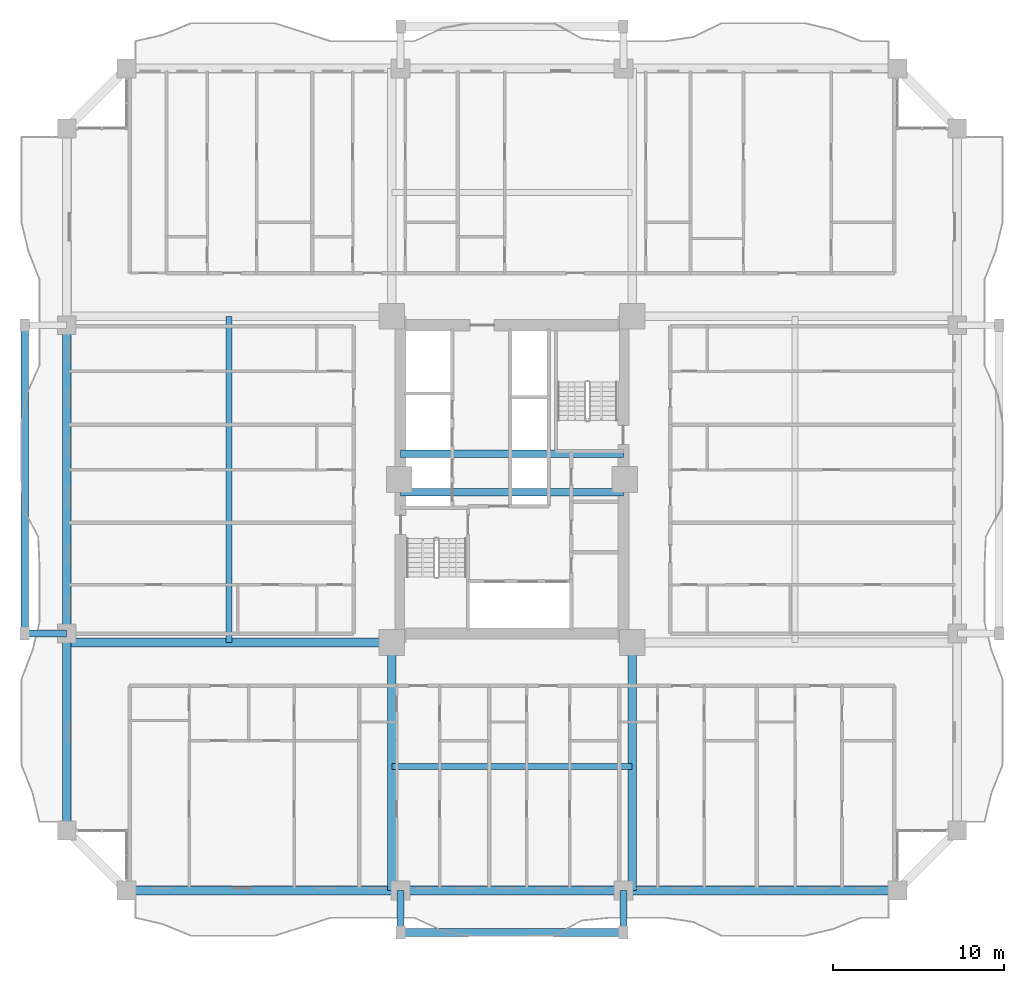
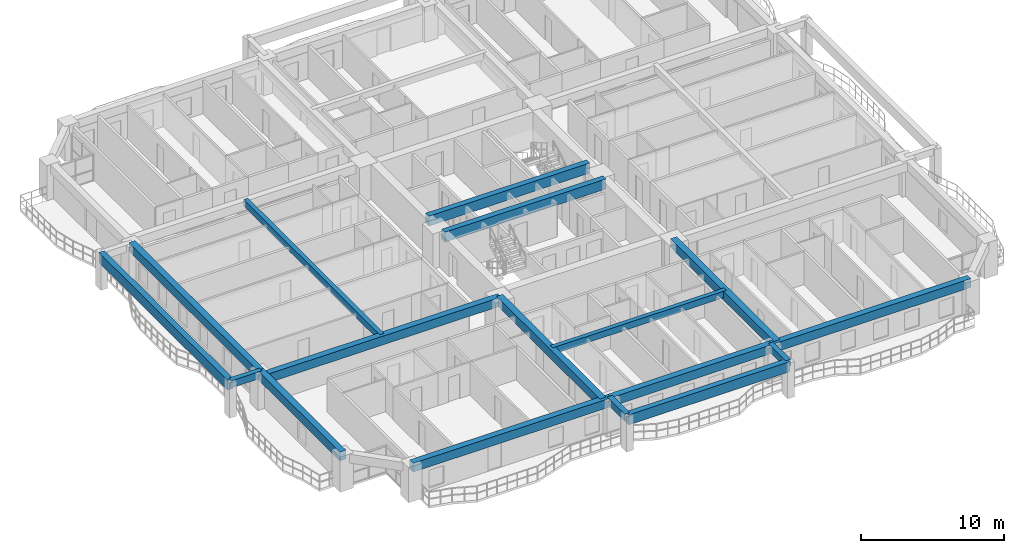
# One storey, part 3 of 28: 17 beams.
"""IFC4 building model written with IfcOpenShell, lengths in metres."""

import ifcopenshell
import ifcopenshell.guid

model = None  # the IFC model being written
_history = None  # IfcOwnerHistory: only IFC2X3 demands one
_inside = {}  # id of a spatial element -> (the spatial element, [elements in it])
_under = {}  # id of a project, library or spatial element -> (it, [spatial elements below it])
_declared = {}  # id of a project -> (the project, [libraries it declares])
_typed = {}  # id of a type object -> (the type object, [elements of that type])
_made_of = {}  # id of a material, layer set ... -> (it, [elements and type objects made of it])


def new_model(schema):
    """Start an empty IFC model of exactly this schema.

    Asked for "IFC4X3", IfcOpenShell would pick the latest addendum, in which some entities
    have other attributes; the version numbers below select the first issue.
    IFC2X3 requires an IfcOwnerHistory on every rooted entity: one is made here for all.
    """
    global model, _history
    if schema == "IFC4X3":
        model = ifcopenshell.file(schema_version=(4, 3, 0, 0))
    else:
        model = ifcopenshell.file(schema=schema)
    _inside.clear()
    _under.clear()
    _declared.clear()
    _typed.clear()
    _made_of.clear()
    _history = None
    if model.schema == "IFC2X3":
        org = make("IfcOrganization", Name="unknown")
        user = make(
            "IfcPersonAndOrganization",
            ThePerson=make("IfcPerson", FamilyName="unknown"),
            TheOrganization=org,
        )
        app = make(
            "IfcApplication",
            ApplicationDeveloper=org,
            Version="unknown",
            ApplicationFullName="unknown",
            ApplicationIdentifier="unknown",
        )
        _history = make(
            "IfcOwnerHistory",
            OwningUser=user,
            OwningApplication=app,
            ChangeAction="ADDED",
            CreationDate=0,
        )
    return model


def make(cls, **values):
    """One entity of the class cls with the attributes given. An attribute that is None is left unset."""
    return model.create_entity(
        cls, **{name: value for name, value in values.items() if value is not None}
    )


def rooted(cls, **values):
    """An entity with a GlobalId (a new one), such as an element, a storey or a relation."""
    return make(cls, GlobalId=ifcopenshell.guid.new(), OwnerHistory=_history, **values)


def si_unit(unit_type, name, prefix=None):
    """IfcSIUnit, for example si_unit("LENGTHUNIT", "METRE", prefix="MILLI")."""
    return make("IfcSIUnit", UnitType=unit_type, Prefix=prefix, Name=name)


def assignment(units):
    """IfcUnitAssignment: the units of a project."""
    return None if units is None else make("IfcUnitAssignment", Units=units)


def point(xyz):
    """IfcCartesianPoint."""
    return None if xyz is None else make("IfcCartesianPoint", Coordinates=xyz)


def direction(xyz):
    """IfcDirection."""
    return None if xyz is None else make("IfcDirection", DirectionRatios=xyz)


def frame(location, z_axis=None, x_axis=None):
    """IfcAxis2Placement3D, a coordinate frame: its origin and axes. An axis left out is left unset."""
    return make(
        "IfcAxis2Placement3D",
        Location=point(location),
        Axis=direction(z_axis),
        RefDirection=direction(x_axis),
    )


def frame_2d(location, x_axis=None):
    """IfcAxis2Placement2D, a coordinate frame in the plane: its origin and x axis."""
    return make(
        "IfcAxis2Placement2D", Location=point(location), RefDirection=direction(x_axis)
    )


def origin():
    """The frame at (0, 0, 0) with its axes left unset."""
    return frame((0.0, 0.0, 0.0))


def origin_2d():
    """The frame at (0, 0) in the plane with its x axis left unset."""
    return frame_2d((0.0, 0.0))


def place(relative_to, where):
    """IfcLocalPlacement: puts the frame where relative to a parent placement (None: the world)."""
    return make(
        "IfcLocalPlacement", PlacementRelTo=relative_to, RelativePlacement=where
    )


def context(
    kind, dimensions, precision=None, world=None, true_north=None, identifier=None
):
    """IfcGeometricRepresentationContext, for example the 3D "Model" context."""
    return make(
        "IfcGeometricRepresentationContext",
        ContextIdentifier=identifier,
        ContextType=kind,
        CoordinateSpaceDimension=dimensions,
        Precision=precision,
        WorldCoordinateSystem=world,
        TrueNorth=true_north,
    )


def subcontext(parent, identifier, kind, view, scale=None):
    """IfcGeometricRepresentationSubContext, for example "Body" below "Model"."""
    return make(
        "IfcGeometricRepresentationSubContext",
        ContextIdentifier=identifier,
        ContextType=kind,
        ParentContext=parent,
        TargetScale=scale,
        TargetView=view,
    )


def project(units=None, contexts=None):
    """IfcProject with its units and contexts."""
    return rooted(
        "IfcProject",
        Name="project",
        RepresentationContexts=contexts,
        UnitsInContext=assignment(units),
    )


def spatial(cls, under=None, at=None, **own):
    """A site, building, storey or space (cls), placed at a placement, below another one or the project."""
    s = rooted(cls, ObjectPlacement=at, **own)
    if under is not None:
        _under.setdefault(under.id(), (under, []))[1].append(s)
    return s


def profile(cls, at=None, kind="AREA", **sizes):
    """A parametric profile (cls). Its sizes go by their IFC names, for example OverallWidth=200.0."""
    return make(cls, ProfileType=kind, Position=at, **sizes)


def rectangle(**sizes):
    """IfcRectangleProfileDef."""
    return profile("IfcRectangleProfileDef", **sizes)


def extrude(swept, where, along, depth):
    """IfcExtrudedAreaSolid: the profile swept, set in the frame where, extruded along a direction by depth."""
    return make(
        "IfcExtrudedAreaSolid",
        SweptArea=swept,
        Position=where,
        ExtrudedDirection=direction(along),
        Depth=depth,
    )


def shape(context_of_items, identifier, shape_type, items):
    """IfcShapeRepresentation: the items that make up one representation, for example the "Body"."""
    return make(
        "IfcShapeRepresentation",
        ContextOfItems=context_of_items,
        RepresentationIdentifier=identifier,
        RepresentationType=shape_type,
        Items=items,
    )


def source(mapping_origin, context_of_items, identifier, shape_type, items):
    """IfcRepresentationMap: a shape defined once, which mapped items show again and again."""
    return make(
        "IfcRepresentationMap",
        MappingOrigin=mapping_origin,
        MappedRepresentation=shape(context_of_items, identifier, shape_type, items),
    )


def transform(
    local_origin,
    x_axis=None,
    y_axis=None,
    z_axis=None,
    scale=None,
    scale2=None,
    scale3=None,
    uniform=True,
):
    """IfcCartesianTransformationOperator3D, or its non-uniform kind. x_axis, y_axis, z_axis: its Axis1, 2, 3."""
    if uniform:
        return make(
            "IfcCartesianTransformationOperator3D",
            Axis1=direction(x_axis),
            Axis2=direction(y_axis),
            LocalOrigin=point(local_origin),
            Scale=scale,
            Axis3=direction(z_axis),
        )
    return make(
        "IfcCartesianTransformationOperator3DnonUniform",
        Axis1=direction(x_axis),
        Axis2=direction(y_axis),
        LocalOrigin=point(local_origin),
        Scale=scale,
        Axis3=direction(z_axis),
        Scale2=scale2,
        Scale3=scale3,
    )


def mapped(mapping_source, mapping_target):
    """IfcMappedItem: shows the shape of a source again, moved by a transform."""
    return make(
        "IfcMappedItem", MappingSource=mapping_source, MappingTarget=mapping_target
    )


def material(Name=None, Category=None):
    """IfcMaterial."""
    return make("IfcMaterial", Name=Name, Category=Category)


def material_profile(
    of_material, cross_section, Name=None, Category=None, Priority=None
):
    """IfcMaterialProfile: a cross section and its material."""
    return make(
        "IfcMaterialProfile",
        Name=Name,
        Material=of_material,
        Profile=cross_section,
        Priority=Priority,
        Category=Category,
    )


def profile_set(profiles, Name=None, composite=None):
    """IfcMaterialProfileSet."""
    return make(
        "IfcMaterialProfileSet",
        Name=Name,
        MaterialProfiles=profiles,
        CompositeProfile=composite,
    )


def made_of(thing, what):
    """Note that an element or type object is made of a material, layer set ...; save() writes the relation."""
    if what is not None:
        _made_of.setdefault(what.id(), (what, []))[1].append(thing)
    return thing


def type_object(cls, material=None, **own):
    """A type object (cls), such as IfcWallType, which elements share."""
    return made_of(rooted(cls, **own), material)


def element(
    cls,
    number,
    at=None,
    inside=None,
    cuts=None,
    type_object=None,
    material=None,
    context=None,
    identifier="Body",
    shape_type=None,
    held_by="IfcProductDefinitionShape",
    body=None,
    shapes=None,
    **own,
):
    """One element of the class cls, such as IfcWall. Its Tag is "e" and its number.

    at: its placement. inside: the storey or other place that contains it. cuts: it is an
    opening in that element (IfcRelVoidsElement). A single representation is given by context,
    identifier, shape_type and body (its items); several are given by shapes. held_by: the class
    of the entity that holds the representations. save() writes the other relations.
    """
    e = rooted(cls, Tag="e%d" % number, ObjectPlacement=at, **own)
    if body is not None:
        shapes = [shape(context, identifier, shape_type, body)]
    if shapes is not None:
        e.Representation = make(held_by, Representations=shapes)
    if inside is not None:
        _inside.setdefault(inside.id(), (inside, []))[1].append(e)
    if cuts is not None:
        rooted(
            "IfcRelVoidsElement", RelatingBuildingElement=cuts, RelatedOpeningElement=e
        )
    if type_object is not None:
        _typed.setdefault(type_object.id(), (type_object, []))[1].append(e)
    return made_of(e, material)


def aggregate(whole, parts):
    """IfcRelAggregates: a whole, such as a stair, and the parts it consists of."""
    return rooted("IfcRelAggregates", RelatingObject=whole, RelatedObjects=parts)


def save(model, path):
    """Write the relations noted so far, then the file.

    IfcRelAggregates (storeys below a building ...), IfcRelContainedInSpatialStructure (elements
    in a storey), IfcRelDefinesByType, IfcRelAssociatesMaterial and IfcRelDeclares: one each for
    every whole, place, type object, material and project.
    """
    for whole, parts in _under.values():
        aggregate(whole, parts)
    for where, things in _inside.values():
        rooted(
            "IfcRelContainedInSpatialStructure",
            RelatedElements=things,
            RelatingStructure=where,
        )
    for kind, things in _typed.values():
        rooted("IfcRelDefinesByType", RelatedObjects=things, RelatingType=kind)
    for what, things in _made_of.values():
        rooted("IfcRelAssociatesMaterial", RelatedObjects=things, RelatingMaterial=what)
    for by, libraries in _declared.values():
        rooted("IfcRelDeclares", RelatingContext=by, RelatedDefinitions=libraries)
    model.write(path)


model = new_model("IFC4")

# Units and contexts
model_context = context("Model", 3, precision=1e-05, world=origin(), true_north=direction((0.0, 1.0)))
body_context = subcontext(model_context, "Body", "Model", "MODEL_VIEW")
ifc_project = project(units=[si_unit("LENGTHUNIT", "METRE"), si_unit("AREAUNIT", "SQUARE_METRE"), si_unit("VOLUMEUNIT", "CUBIC_METRE"), si_unit("PLANEANGLEUNIT", "RADIAN"), si_unit("MASSUNIT", "GRAM", prefix="KILO")], contexts=[model_context])

# Site, building, storey
site_placement = place(None, origin())
site = spatial("IfcSite", under=ifc_project, at=site_placement, CompositionType="ELEMENT")
building_placement = place(site_placement, origin())
building = spatial("IfcBuilding", under=site, at=building_placement, Name="Saelheon Loggia Tower", CompositionType="ELEMENT")
storey_placement = place(building_placement, frame((0.0, 0.0, 61.39990234375)))
storey = spatial("IfcBuildingStorey", under=building, at=storey_placement, Name="L19", CompositionType="ELEMENT", Elevation=61.39990234375)

# Beams
ifc_material_1 = material(Name="Concrete C50/60", Category="concrete")
ifc_material_profile_1 = material_profile(ifc_material_1, rectangle(XDim=0.449951171875, YDim=0.85009765625, at=origin_2d()), Name="RC-450x850")
ifc_profile_set_1 = profile_set([ifc_material_profile_1], Name="Concrete C50/60")
beam_type_1 = type_object("IfcBeamType", Name="Beam_CoreLintel_RC450x850", PredefinedType="LINTEL", material=ifc_profile_set_1)
shared_shape_1 = source(origin(), body_context, "Body", "SweptSolid", [
    extrude(rectangle(XDim=0.449951171875, YDim=0.85009765625, at=origin_2d()), origin(), (0.0, 0.0, 1.0), 13.0),
])
for number, where, z_axis, x_axis, name in (
    (1, (31.5, 26.25, 2.5751953125), (1.0, 0.0, 0.0), (0.0, 1.0, 0.0), "L19 Core Coupling Lintel 1"),
    (2, (31.5, 28.5, 2.5751953125), (1.0, 0.0, 0.0), (0.0, 1.0, 0.0), "L19 Core Coupling Lintel 2"),
):
    element("IfcBeam", number, at=place(storey_placement, frame(where, z_axis=z_axis, x_axis=x_axis)), inside=storey, type_object=beam_type_1, Name=name, PredefinedType="LINTEL", context=body_context, shape_type="MappedRepresentation", body=[
        mapped(shared_shape_1, transform((0.0, 0.0, 0.0), scale=1.0)),
    ])
ifc_material_2 = material(Name="Precast Concrete C45/55", Category="concrete")
ifc_material_profile_2 = material_profile(ifc_material_2, rectangle(XDim=0.449951171875, YDim=0.85009765625, at=origin_2d()), Name="RC-450x850")
ifc_profile_set_2 = profile_set([ifc_material_profile_2], Name="Precast Concrete C45/55")
beam_type_2 = type_object("IfcBeamType", Name="Beam_LoggiaSpandrel_RC450x850", PredefinedType="SPANDREL", material=ifc_profile_set_2)
beam_1_placement = place(storey_placement, frame((31.5, 0.550048828125, 2.5751953125), z_axis=(1.0, 0.0, 0.0), x_axis=(0.0, 1.0, 0.0)))
element("IfcBeam", 3, at=beam_1_placement, inside=storey, type_object=beam_type_2, Name="L19 Loggia Spandrel Beam S", PredefinedType="SPANDREL", context=body_context, shape_type="MappedRepresentation", body=[
    mapped(shared_shape_1, transform((0.0, 0.0, 0.0), scale=1.0)),
])
ifc_material_3 = material(Name="Concrete C45/55", Category="concrete")
ifc_material_profile_3 = material_profile(ifc_material_3, rectangle(XDim=0.5, YDim=0.75, at=origin_2d()), Name="RC-500x750")
ifc_profile_set_3 = profile_set([ifc_material_profile_3], Name="Concrete C45/55")
beam_type_3 = type_object("IfcBeamType", Name="Beam_FloorGirder_RC500x750", PredefinedType="BEAM", material=ifc_profile_set_3)
shared_shape_2 = source(origin(), body_context, "Body", "SweptSolid", [
    extrude(rectangle(XDim=0.5, YDim=0.75, at=origin_2d()), origin(), (0.0, 0.0, 1.0), 14.47998046875),
])
for number, where, z_axis, x_axis, name in (
    (4, (30.97998046875, 17.47998046875, 2.625), (0.0, -1.0, 0.0), (1.0, 0.0, 0.0), "L19 Radial Floor Girder RAD-SW-S"),
    (5, (45.02001953125, 17.47998046875, 2.625), (0.0, -1.0, 0.0), (1.0, 0.0, 0.0), "L19 Radial Floor Girder RAD-SE-S"),
):
    element("IfcBeam", number, at=place(storey_placement, frame(where, z_axis=z_axis, x_axis=x_axis)), inside=storey, type_object=beam_type_3, Name=name, PredefinedType="BEAM", context=body_context, shape_type="MappedRepresentation", body=[
        mapped(shared_shape_2, transform((0.0, 0.0, 0.0), scale=1.0)),
    ])
ifc_material_profile_4 = material_profile(ifc_material_3, rectangle(XDim=0.5, YDim=0.75, at=origin_2d()), Name="RC-500x750")
ifc_profile_set_4 = profile_set([ifc_material_profile_4], Name="Concrete C45/55")
beam_type_4 = type_object("IfcBeamType", Name="Beam_PerimGirder_RC500x750", PredefinedType="BEAM", material=ifc_profile_set_4)
shared_shape_3 = source(origin(), body_context, "Body", "SweptSolid", [
    extrude(rectangle(XDim=0.5, YDim=0.75, at=origin_2d()), origin(), (0.0, 0.0, 1.0), 16.0),
])
for number, where, z_axis, x_axis, name in (
    (6, (15.5, 3.0, 2.625), (1.0, 0.0, 0.0), (0.0, 1.0, 0.0), "L19 Perimeter Frame Girder 01"),
    (7, (44.5, 3.0, 2.625), (1.0, 0.0, 0.0), (0.0, 1.0, 0.0), "L19 Perimeter Frame Girder 03"),
):
    element("IfcBeam", number, at=place(storey_placement, frame(where, z_axis=z_axis, x_axis=x_axis)), inside=storey, type_object=beam_type_4, Name=name, PredefinedType="BEAM", context=body_context, shape_type="MappedRepresentation", body=[
        mapped(shared_shape_3, transform((0.0, 0.0, 0.0), scale=1.0)),
    ])
shared_shape_4 = source(origin(), body_context, "Body", "SweptSolid", [
    extrude(rectangle(XDim=0.5, YDim=0.75, at=origin_2d()), origin(), (0.0, 0.0, 1.0), 13.0),
])
beam_2_placement = place(storey_placement, frame((31.5, 3.0, 2.625), z_axis=(1.0, 0.0, 0.0), x_axis=(0.0, 1.0, 0.0)))
element("IfcBeam", 8, at=beam_2_placement, inside=storey, type_object=beam_type_4, Name="L19 Perimeter Frame Girder 02", PredefinedType="BEAM", context=body_context, shape_type="MappedRepresentation", body=[
    mapped(shared_shape_4, transform((0.0, 0.0, 0.0), scale=1.0)),
])
shared_shape_5 = source(origin(), body_context, "Body", "SweptSolid", [
    extrude(rectangle(XDim=0.5, YDim=0.75, at=origin_2d()), origin(), (0.0, 0.0, 1.0), 11.5),
])
beam_3_placement = place(storey_placement, frame((12.0, 18.0, 2.625), z_axis=(0.0, -1.0, 0.0), x_axis=(1.0, 0.0, 0.0)))
element("IfcBeam", 9, at=beam_3_placement, inside=storey, type_object=beam_type_4, Name="L19 Perimeter Frame Girder 15", PredefinedType="BEAM", context=body_context, shape_type="MappedRepresentation", body=[
    mapped(shared_shape_5, transform((0.0, 0.0, 0.0), scale=1.0)),
])
shared_shape_6 = source(origin(), body_context, "Body", "SweptSolid", [
    extrude(rectangle(XDim=0.5, YDim=0.75, at=origin_2d()), origin(), (0.0, 0.0, 1.0), 18.0),
])
beam_4_placement = place(storey_placement, frame((12.0, 36.0, 2.625), z_axis=(0.0, -1.0, 0.0), x_axis=(1.0, 0.0, 0.0)))
element("IfcBeam", 10, at=beam_4_placement, inside=storey, type_object=beam_type_4, Name="L19 Perimeter Frame Girder 14", PredefinedType="BEAM", context=body_context, shape_type="MappedRepresentation", body=[
    mapped(shared_shape_6, transform((0.0, 0.0, 0.0), scale=1.0)),
])
shared_shape_7 = source(origin(), body_context, "Body", "SweptSolid", [
    extrude(rectangle(XDim=0.5, YDim=0.75, at=origin_2d()), origin(), (0.0, 0.0, 1.0), 18.97998046875),
])
beam_5_placement = place(storey_placement, frame((30.97998046875, 17.47998046875, 2.625), z_axis=(-1.0, 0.0, 0.0), x_axis=(0.0, -1.0, 0.0)))
element("IfcBeam", 11, at=beam_5_placement, inside=storey, type_object=beam_type_3, Name="L19 Radial Floor Girder RAD-SW-W", PredefinedType="BEAM", context=body_context, shape_type="MappedRepresentation", body=[
    mapped(shared_shape_7, transform((0.0, 0.0, 0.0), scale=1.0)),
])
ifc_material_4 = material(Name="Concrete C40/50", Category="concrete")
ifc_material_profile_5 = material_profile(ifc_material_4, rectangle(XDim=0.35009765625, YDim=0.550048828125, at=origin_2d()), Name="RC-350x550")
ifc_profile_set_5 = profile_set([ifc_material_profile_5], Name="Concrete C40/50")
beam_type_5 = type_object("IfcBeamType", Name="Beam_Joist_RC350x550", PredefinedType="JOIST", material=ifc_profile_set_5)
shared_shape_8 = source(origin(), body_context, "Body", "SweptSolid", [
    extrude(rectangle(XDim=0.35009765625, YDim=0.550048828125, at=origin_2d()), origin(), (0.0, 0.0, 1.0), 14.0400390625),
])
beam_6_placement = place(storey_placement, frame((30.97998046875, 10.239990234375, 2.72509765625), z_axis=(1.0, 0.0, 0.0), x_axis=(0.0, 1.0, 0.0)))
element("IfcBeam", 12, at=beam_6_placement, inside=storey, type_object=beam_type_5, Name="L19 South Floor Joist", PredefinedType="JOIST", context=body_context, shape_type="MappedRepresentation", body=[
    mapped(shared_shape_8, transform((0.0, 0.0, 0.0), scale=1.0)),
])
shared_shape_9 = source(origin(), body_context, "Body", "SweptSolid", [
    extrude(rectangle(XDim=0.35009765625, YDim=0.550048828125, at=origin_2d()), origin(), (0.0, 0.0, 1.0), 19.0400390625),
])
beam_7_placement = place(storey_placement, frame((21.489990234375, 17.47998046875, 2.72509765625), z_axis=(0.0, 1.0, 0.0), x_axis=(-1.0, 0.0, 0.0)))
element("IfcBeam", 13, at=beam_7_placement, inside=storey, type_object=beam_type_5, Name="L19 West Floor Joist", PredefinedType="JOIST", context=body_context, shape_type="MappedRepresentation", body=[
    mapped(shared_shape_9, transform((0.0, 0.0, 0.0), scale=1.0)),
])
ifc_material_profile_6 = material_profile(ifc_material_2, rectangle(XDim=0.39990234375, YDim=0.60009765625, at=origin_2d()), Name="RC-400x600")
ifc_profile_set_6 = profile_set([ifc_material_profile_6], Name="Precast Concrete C45/55")
beam_type_6 = type_object("IfcBeamType", Name="Beam_LoggiaTie_RC400x600", PredefinedType="BEAM", material=ifc_profile_set_6)
shared_shape_10 = source(origin(), body_context, "Body", "SweptSolid", [
    extrude(rectangle(XDim=0.39990234375, YDim=0.60009765625, at=origin_2d()), origin(), (0.0, 0.0, 1.0), 2.449951171875),
])
for number, where, z_axis, x_axis, name in (
    (14, (31.5, 3.0, 2.7001953125), (0.0, -1.0, 0.0), (1.0, 0.0, 0.0), "L19 Loggia Frame Tie Beam LP-S1"),
    (15, (44.5, 3.0, 2.7001953125), (0.0, -1.0, 0.0), (1.0, 0.0, 0.0), "L19 Loggia Frame Tie Beam LP-S2"),
    (16, (12.0, 18.0, 2.7001953125), (-1.0, 0.0, 0.0), (0.0, -1.0, 0.0), "L19 Loggia Frame Tie Beam LP-W1"),
):
    element("IfcBeam", number, at=place(storey_placement, frame(where, z_axis=z_axis, x_axis=x_axis)), inside=storey, type_object=beam_type_6, Name=name, PredefinedType="BEAM", context=body_context, shape_type="MappedRepresentation", body=[
        mapped(shared_shape_10, transform((0.0, 0.0, 0.0), scale=1.0)),
    ])
shared_shape_11 = source(origin(), body_context, "Body", "SweptSolid", [
    extrude(rectangle(XDim=0.449951171875, YDim=0.85009765625, at=origin_2d()), origin(), (0.0, 0.0, 1.0), 18.0),
])
beam_8_placement = place(storey_placement, frame((9.550048828125, 18.0, 2.5751953125), z_axis=(0.0, 1.0, 0.0), x_axis=(-1.0, 0.0, 0.0)))
element("IfcBeam", 17, at=beam_8_placement, inside=storey, type_object=beam_type_2, Name="L19 Loggia Spandrel Beam W", PredefinedType="SPANDREL", context=body_context, shape_type="MappedRepresentation", body=[
    mapped(shared_shape_11, transform((0.0, 0.0, 0.0), scale=1.0)),
])

save(model, "model.ifc")
